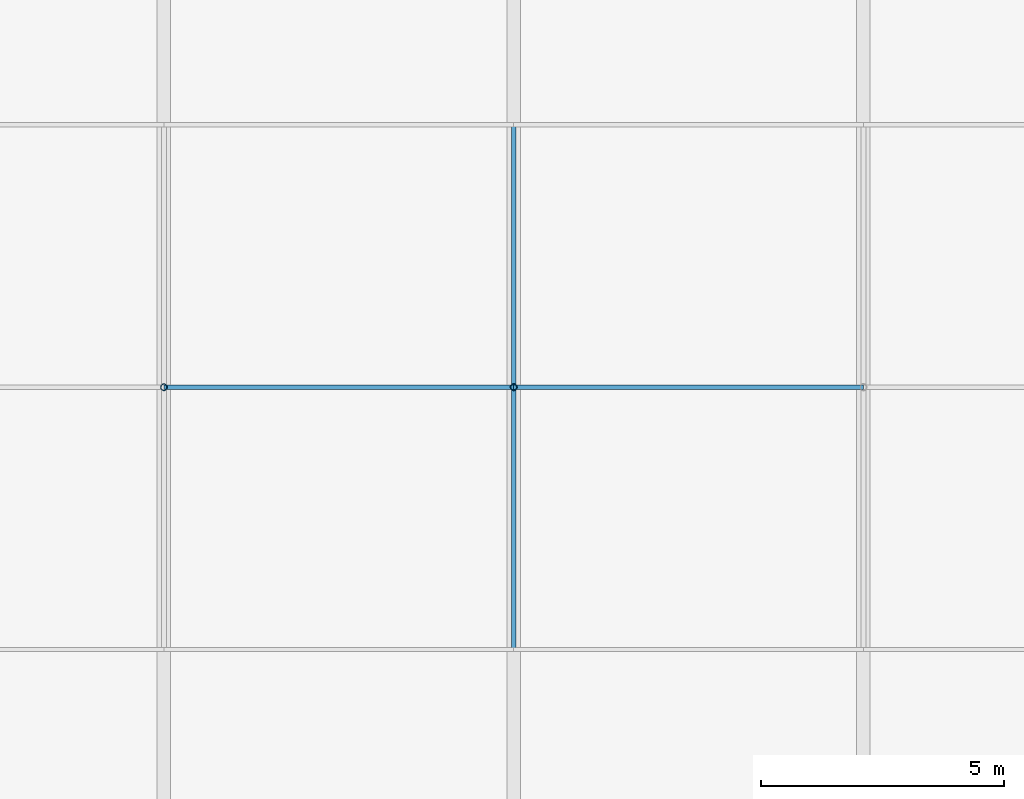
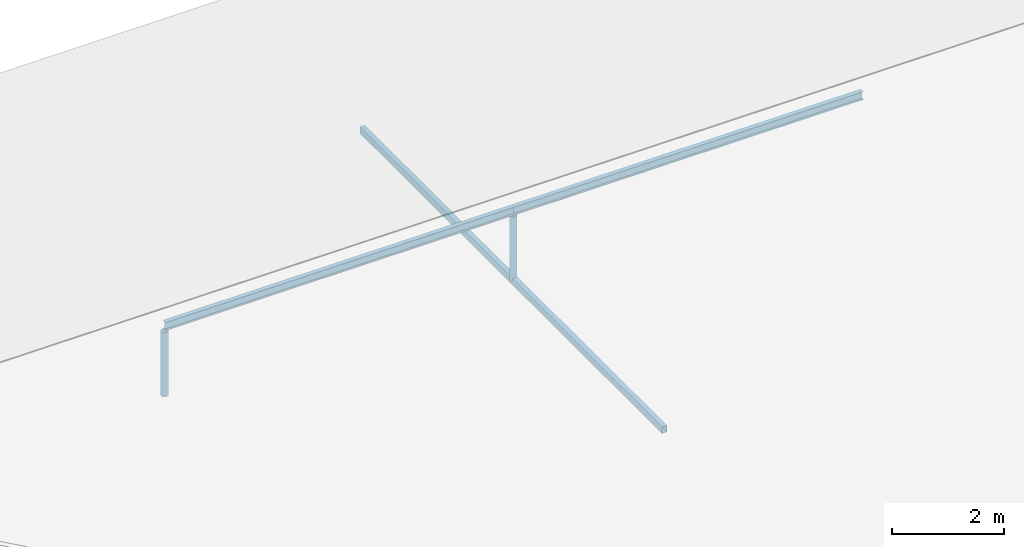
# One storey, part 21 of 124: 5 members.
"""IFC4 building model written with IfcOpenShell, lengths in metres."""

from ifc_helpers import new_model, si_unit, direction, frame, origin, origin_2d, place, context, subcontext, project, spatial, hollow_rectangle, hollow_circle, i_section, extrude, material, material_profile, profile_set, type_object, element, save


model = new_model("IFC4")

# Units and contexts
model_context = context("Model", 3, precision=1e-05, world=origin(), true_north=direction((0.0, 1.0)))
body_context = subcontext(model_context, "Body", "Model", "MODEL_VIEW")
ifc_project = project(units=[si_unit("LENGTHUNIT", "METRE"), si_unit("AREAUNIT", "SQUARE_METRE"), si_unit("VOLUMEUNIT", "CUBIC_METRE"), si_unit("PLANEANGLEUNIT", "RADIAN"), si_unit("MASSUNIT", "GRAM", prefix="KILO"), si_unit("THERMODYNAMICTEMPERATUREUNIT", "KELVIN"), si_unit("POWERUNIT", "WATT")], contexts=[model_context])

# Site, building, storey
site_placement = place(None, origin())
site = spatial("IfcSite", under=ifc_project, at=site_placement, CompositionType="ELEMENT")
building_placement = place(site_placement, origin())
building = spatial("IfcBuilding", under=site, at=building_placement, Name="Tavuni Mirador Residences", CompositionType="ELEMENT")
storey_placement = place(building_placement, frame((0.0, 0.0, 7.64990234375)))
storey = spatial("IfcBuildingStorey", under=building, at=storey_placement, Name="L02", CompositionType="ELEMENT", Elevation=7.64990234375)

# Members
ifc_material = material(Name="Structural steel S355", Category="steel")
ifc_material_profile_1 = material_profile(ifc_material, hollow_circle(Radius=0.06982421875, WallThickness=0.008056640625, at=origin_2d()), Name="CHS 139.7x8.0", Category="steel")
ifc_profile_set_1 = profile_set([ifc_material_profile_1], Name="Structural steel S355")
member_type_1 = type_object("IfcMemberType", Name="MT-BR-CHS139", PredefinedType="BRACE", material=ifc_profile_set_1)
for number, where, z_axis, x_axis, name in (
    (1, (68.39990234375, 18.0, 1.050048828125), (0.0, 0.0, 1.0), (1.0, 0.0, 0.0), "RKP-PAV-SHOP-03"),
    (2, (75.60009765625, 18.0, 1.050048828125), (0.0, 0.0, 1.0), (1.0, 0.0, 0.0), "RKP-PAV-SHOP-04"),
):
    element("IfcMember", number, at=place(storey_placement, frame(where, z_axis=z_axis, x_axis=x_axis)), inside=storey, type_object=member_type_1, Name=name, PredefinedType="BRACE", context=body_context, shape_type="SweptSolid", body=[
        extrude(hollow_circle(Radius=0.06982421875, WallThickness=0.008056640625, at=origin_2d()), origin(), (0.0, 0.0, 1.0), 1.400146484375),
    ])
ifc_material_profile_2 = material_profile(ifc_material, hollow_rectangle(XDim=0.10009765625, YDim=0.14990234375, WallThickness=0.008056640625, at=origin_2d()), Name="RHS 150x100x8.0", Category="steel")
ifc_profile_set_2 = profile_set([ifc_material_profile_2], Name="Structural steel S355")
member_type_2 = type_object("IfcMemberType", Name="MT-BR-RHS150", PredefinedType="BRACE", material=ifc_profile_set_2)
member_1_placement = place(storey_placement, frame((75.60009765625, 12.60009765625, 1.050048828125), z_axis=(0.0, 1.0, 0.0), x_axis=(-1.0, 0.0, 0.0)))
element("IfcMember", 3, at=member_1_placement, inside=storey, type_object=member_type_2, Name="RTIE-PAV-SHOP-04", PredefinedType="BRACE", context=body_context, shape_type="SweptSolid", body=[
    extrude(hollow_rectangle(XDim=0.10009765625, YDim=0.14990234375, WallThickness=0.008056640625, at=origin_2d()), origin(), (0.0, 0.0, 1.0), 10.7998046875),
])
ifc_material_profile_3 = material_profile(ifc_material, i_section(OverallWidth=0.091064453125, OverallDepth=0.179931640625, WebThickness=0.00537109375, FlangeThickness=0.008056640625, FilletRadius=0.009033203125, at=origin_2d()), Name="IPE 180", Category="steel")
ifc_profile_set_3 = profile_set([ifc_material_profile_3], Name="Structural steel S355")
member_type_3 = type_object("IfcMemberType", Name="MT-PR-IPE180", PredefinedType="PURLIN", material=ifc_profile_set_3)
member_2_placement = place(storey_placement, frame((68.39990234375, 18.0, 2.565185546875), z_axis=(1.0, 0.0, 0.0), x_axis=(0.0, 1.0, 0.0)))
element("IfcMember", 4, at=member_2_placement, inside=storey, type_object=member_type_3, Name="RPUR-PAV-SHOP-50-03", PredefinedType="PURLIN", context=body_context, shape_type="SweptSolid", body=[
    extrude(i_section(OverallWidth=0.091064453125, OverallDepth=0.179931640625, WebThickness=0.00537109375, FlangeThickness=0.008056640625, FilletRadius=0.009033203125, at=origin_2d()), origin(), (0.0, 0.0, 1.0), 7.2001953125),
])
member_3_placement = place(storey_placement, frame((75.60009765625, 18.0, 2.565185546875), z_axis=(1.0, 0.0, 0.0), x_axis=(0.0, 1.0, 0.0)))
element("IfcMember", 5, at=member_3_placement, inside=storey, type_object=member_type_3, Name="RPUR-PAV-SHOP-50-04", PredefinedType="PURLIN", context=body_context, shape_type="SweptSolid", body=[
    extrude(i_section(OverallWidth=0.091064453125, OverallDepth=0.179931640625, WebThickness=0.00537109375, FlangeThickness=0.008056640625, FilletRadius=0.009033203125, at=origin_2d()), origin(), (0.0, 0.0, 1.0), 7.199951171875),
])

save(model, "model.ifc")
